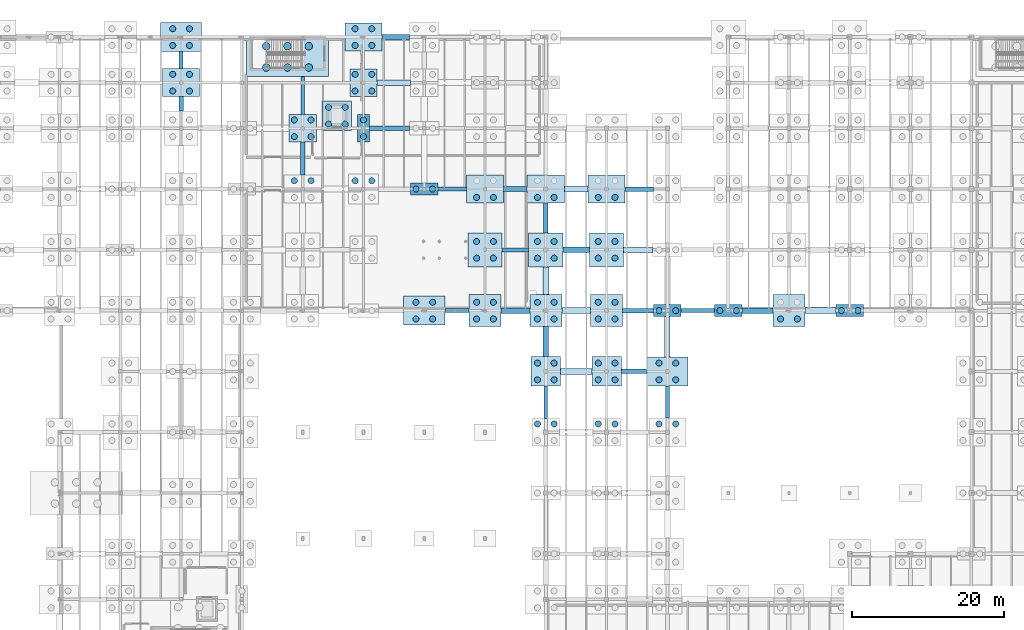
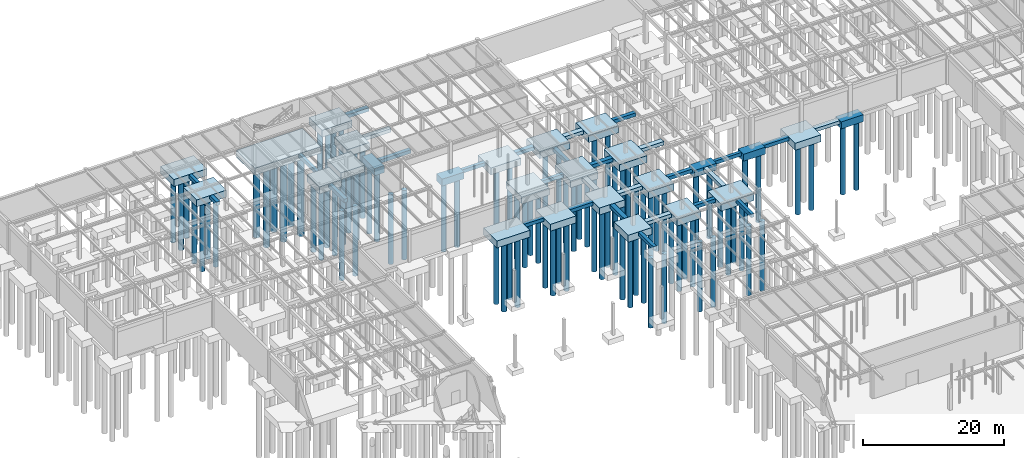
# One storey, part 5 of 71: 98 piles, 55 footings.
"""IFC4 building model written with IfcOpenShell, lengths in metres."""

from ifc_helpers import new_model, si_unit, direction, frame, origin, origin_2d, place, context, subcontext, project, spatial, rectangle, circle, extrude, material, material_profile, profile_set, type_object, element, save


model = new_model("IFC4")

# Units and contexts
model_context = context("Model", 3, precision=1e-05, world=origin(), true_north=direction((0.0, 1.0)))
body_context = subcontext(model_context, "Body", "Model", "MODEL_VIEW")
ifc_project = project(units=[si_unit("LENGTHUNIT", "METRE"), si_unit("AREAUNIT", "SQUARE_METRE"), si_unit("VOLUMEUNIT", "CUBIC_METRE"), si_unit("PLANEANGLEUNIT", "RADIAN"), si_unit("MASSUNIT", "GRAM", prefix="KILO")], contexts=[model_context])

# Site, building, storey
site_placement = place(None, origin())
site = spatial("IfcSite", under=ifc_project, at=site_placement, CompositionType="ELEMENT")
building_placement = place(site_placement, origin())
building = spatial("IfcBuilding", under=site, at=building_placement, Name="Sundkrona Museum", CompositionType="ELEMENT")
storey_placement = place(building_placement, frame((0.0, 0.0, -5.39990234375)))
storey = spatial("IfcBuildingStorey", under=building, at=storey_placement, Name="B1", CompositionType="ELEMENT", Elevation=-5.39990234375)

# Footings
ifc_material = material(Name="Concrete C40/50", Category="concrete")
footing_type_1 = type_object("IfcFootingType", Name="GB-500", PredefinedType="FOOTING_BEAM", material=ifc_material)
footing_1_placement = place(storey_placement, frame((68.300048828125, 78.0, -0.7001953125), z_axis=(0.0, 0.0, 1.0), x_axis=(1.0, 0.0, 0.0)))
element("IfcFooting", 1, at=footing_1_placement, inside=storey, type_object=footing_type_1, Name="Ground Tie Beam GB-X-098", PredefinedType="FOOTING_BEAM", context=body_context, shape_type="SweptSolid", body=[
    extrude(rectangle(XDim=3.199951171875, YDim=0.5, at=origin_2d()), origin(), (0.0, 0.0, 1.0), 0.60009765625),
])
footing_2_placement = place(storey_placement, frame((100.0, 78.0, -0.7001953125), z_axis=(0.0, 0.0, 1.0), x_axis=(1.0, 0.0, 0.0)))
element("IfcFooting", 2, at=footing_2_placement, inside=storey, type_object=footing_type_1, Name="Ground Tie Beam GB-X-102", PredefinedType="FOOTING_BEAM", context=body_context, shape_type="SweptSolid", body=[
    extrude(rectangle(XDim=4.39990234375, YDim=0.5, at=origin_2d()), origin(), (0.0, 0.0, 1.0), 0.60009765625),
])
footing_3_placement = place(storey_placement, frame((76.0, 86.0, -0.7001953125), z_axis=(0.0, 0.0, 1.0), x_axis=(1.0, 0.0, 0.0)))
element("IfcFooting", 3, at=footing_3_placement, inside=storey, type_object=footing_type_1, Name="Ground Tie Beam GB-X-118", PredefinedType="FOOTING_BEAM", context=body_context, shape_type="SweptSolid", body=[
    extrude(rectangle(XDim=3.5, YDim=0.5, at=origin_2d()), origin(), (0.0, 0.0, 1.0), 0.60009765625),
])
footing_4_placement = place(storey_placement, frame((67.675048828125, 94.0, -0.7001953125), z_axis=(0.0, 0.0, 1.0), x_axis=(1.0, 0.0, 0.0)))
element("IfcFooting", 4, at=footing_4_placement, inside=storey, type_object=footing_type_1, Name="Ground Tie Beam GB-X-138", PredefinedType="FOOTING_BEAM", context=body_context, shape_type="SweptSolid", body=[
    extrude(rectangle(XDim=3.75, YDim=0.5, at=origin_2d()), origin(), (0.0, 0.0, 1.0), 0.60009765625),
])
footing_5_placement = place(storey_placement, frame((32.0, 110.97509765625, -0.7001953125), z_axis=(0.0, 0.0, 1.0), x_axis=(0.0, 1.0, 0.0)))
element("IfcFooting", 5, at=footing_5_placement, inside=storey, type_object=footing_type_1, Name="Ground Tie Beam GB-Y-218", PredefinedType="FOOTING_BEAM", context=body_context, shape_type="SweptSolid", body=[
    extrude(rectangle(XDim=2.25, YDim=0.5, at=origin_2d()), origin(), (0.0, 0.0, 1.0), 0.60009765625),
])
footing_6_placement = place(storey_placement, frame((48.0, 106.300048828125, -0.7001953125), z_axis=(0.0, 0.0, 1.0), x_axis=(0.0, 1.0, 0.0)))
element("IfcFooting", 6, at=footing_6_placement, inside=storey, type_object=footing_type_1, Name="Ground Tie Beam GB-Y-222", PredefinedType="FOOTING_BEAM", context=body_context, shape_type="SweptSolid", body=[
    extrude(rectangle(XDim=5.0, YDim=0.5, at=origin_2d()), origin(), (0.0, 0.0, 1.0), 0.60009765625),
])
for number, where, z_axis, x_axis, name in (
    (7, (80.0, 65.925048828125, -0.7001953125), (0.0, 0.0, 1.0), (0.0, 1.0, 0.0), "Ground Tie Beam GB-Y-234"),
    (8, (96.0, 65.97509765625, -0.7001953125), (0.0, 0.0, 1.0), (0.0, 1.0, 0.0), "Ground Tie Beam GB-Y-246"),
):
    element("IfcFooting", number, at=place(storey_placement, frame(where, z_axis=z_axis, x_axis=x_axis)), inside=storey, type_object=footing_type_1, Name=name, PredefinedType="FOOTING_BEAM", context=body_context, shape_type="SweptSolid", body=[
        extrude(rectangle(XDim=4.25, YDim=0.5, at=origin_2d()), origin(), (0.0, 0.0, 1.0), 0.60009765625),
    ])
footing_type_2 = type_object("IfcFootingType", Name="GB-600", PredefinedType="FOOTING_BEAM", material=ifc_material)
footing_7_placement = place(storey_placement, frame((91.625, 70.0, -0.7001953125), z_axis=(0.0, 0.0, 1.0), x_axis=(1.0, 0.0, 0.0)))
element("IfcFooting", 9, at=footing_7_placement, inside=storey, type_object=footing_type_2, Name="Ground Tie Beam GB-X-085", PredefinedType="FOOTING_BEAM", context=body_context, shape_type="SweptSolid", body=[
    extrude(rectangle(XDim=3.35009765625, YDim=0.60009765625, at=origin_2d()), origin(), (0.0, 0.0, 1.0), 0.60009765625),
])
footing_8_placement = place(storey_placement, frame((92.14990234375, 78.0, -0.7001953125), z_axis=(0.0, 0.0, 1.0), x_axis=(1.0, 0.0, 0.0)))
element("IfcFooting", 10, at=footing_8_placement, inside=storey, type_object=footing_type_2, Name="Ground Tie Beam GB-X-101", PredefinedType="FOOTING_BEAM", context=body_context, shape_type="SweptSolid", body=[
    extrude(rectangle(XDim=4.10009765625, YDim=0.60009765625, at=origin_2d()), origin(), (0.0, 0.0, 1.0), 0.60009765625),
])
footing_9_placement = place(storey_placement, frame((92.324951171875, 94.0, -0.7001953125), z_axis=(0.0, 0.0, 1.0), x_axis=(1.0, 0.0, 0.0)))
element("IfcFooting", 11, at=footing_9_placement, inside=storey, type_object=footing_type_2, Name="Ground Tie Beam GB-X-141", PredefinedType="FOOTING_BEAM", context=body_context, shape_type="SweptSolid", body=[
    extrude(rectangle(XDim=3.75, YDim=0.60009765625, at=origin_2d()), origin(), (0.0, 0.0, 1.0), 0.60009765625),
])
footing_10_placement = place(storey_placement, frame((59.425048828125, 102.0, -0.7001953125), z_axis=(0.0, 0.0, 1.0), x_axis=(1.0, 0.0, 0.0)))
element("IfcFooting", 12, at=footing_10_placement, inside=storey, type_object=footing_type_2, Name="Ground Tie Beam GB-X-157", PredefinedType="FOOTING_BEAM", context=body_context, shape_type="SweptSolid", body=[
    extrude(rectangle(XDim=5.25, YDim=0.60009765625, at=origin_2d()), origin(), (0.0, 0.0, 1.0), 0.60009765625),
])
footing_11_placement = place(storey_placement, frame((32.0, 105.199951171875, -0.7001953125), z_axis=(0.0, 0.0, 1.0), x_axis=(0.0, 1.0, 0.0)))
element("IfcFooting", 13, at=footing_11_placement, inside=storey, type_object=footing_type_2, Name="Ground Tie Beam GB-Y-217", PredefinedType="FOOTING_BEAM", context=body_context, shape_type="SweptSolid", body=[
    extrude(rectangle(XDim=1.89990234375, YDim=0.60009765625, at=origin_2d()), origin(), (0.0, 0.0, 1.0), 0.60009765625),
])
footing_12_placement = place(storey_placement, frame((48.0, 98.02490234375, -0.7001953125), z_axis=(0.0, 0.0, 1.0), x_axis=(0.0, 1.0, 0.0)))
element("IfcFooting", 14, at=footing_12_placement, inside=storey, type_object=footing_type_2, Name="Ground Tie Beam GB-Y-221", PredefinedType="FOOTING_BEAM", context=body_context, shape_type="SweptSolid", body=[
    extrude(rectangle(XDim=4.35009765625, YDim=0.60009765625, at=origin_2d()), origin(), (0.0, 0.0, 1.0), 0.60009765625),
])
footing_13_placement = place(storey_placement, frame((80.0, 90.199951171875, -0.7001953125), z_axis=(0.0, 0.0, 1.0), x_axis=(0.0, 1.0, 0.0)))
element("IfcFooting", 15, at=footing_13_placement, inside=storey, type_object=footing_type_2, Name="Ground Tie Beam GB-Y-237", PredefinedType="FOOTING_BEAM", context=body_context, shape_type="SweptSolid", body=[
    extrude(rectangle(XDim=3.89990234375, YDim=0.60009765625, at=origin_2d()), origin(), (0.0, 0.0, 1.0), 0.60009765625),
])
footing_type_3 = type_object("IfcFootingType", Name="GB-700", PredefinedType="FOOTING_BEAM", material=ifc_material)
footing_14_placement = place(storey_placement, frame((76.0, 78.0, -0.7001953125), z_axis=(0.0, 0.0, 1.0), x_axis=(1.0, 0.0, 0.0)))
element("IfcFooting", 16, at=footing_14_placement, inside=storey, type_object=footing_type_3, Name="Ground Tie Beam GB-X-099", PredefinedType="FOOTING_BEAM", context=body_context, shape_type="SweptSolid", body=[
    extrude(rectangle(XDim=3.800048828125, YDim=0.699951171875, at=origin_2d()), origin(), (0.0, 0.0, 1.0), 0.60009765625),
])
footing_15_placement = place(storey_placement, frame((107.85009765625, 78.0, -0.7001953125), z_axis=(0.0, 0.0, 1.0), x_axis=(1.0, 0.0, 0.0)))
element("IfcFooting", 17, at=footing_15_placement, inside=storey, type_object=footing_type_3, Name="Ground Tie Beam GB-X-103", PredefinedType="FOOTING_BEAM", context=body_context, shape_type="SweptSolid", body=[
    extrude(rectangle(XDim=4.10009765625, YDim=0.699951171875, at=origin_2d()), origin(), (0.0, 0.0, 1.0), 0.60009765625),
])
footing_16_placement = place(storey_placement, frame((84.0, 86.0, -0.7001953125), z_axis=(0.0, 0.0, 1.0), x_axis=(1.0, 0.0, 0.0)))
element("IfcFooting", 18, at=footing_16_placement, inside=storey, type_object=footing_type_3, Name="Ground Tie Beam GB-X-119", PredefinedType="FOOTING_BEAM", context=body_context, shape_type="SweptSolid", body=[
    extrude(rectangle(XDim=3.5, YDim=0.699951171875, at=origin_2d()), origin(), (0.0, 0.0, 1.0), 0.60009765625),
])
footing_17_placement = place(storey_placement, frame((76.0, 94.0, -0.7001953125), z_axis=(0.0, 0.0, 1.0), x_axis=(1.0, 0.0, 0.0)))
element("IfcFooting", 19, at=footing_17_placement, inside=storey, type_object=footing_type_3, Name="Ground Tie Beam GB-X-139", PredefinedType="FOOTING_BEAM", context=body_context, shape_type="SweptSolid", body=[
    extrude(rectangle(XDim=3.10009765625, YDim=0.699951171875, at=origin_2d()), origin(), (0.0, 0.0, 1.0), 0.60009765625),
])
footing_18_placement = place(storey_placement, frame((60.0, 108.0, -0.7001953125), z_axis=(0.0, 0.0, 1.0), x_axis=(1.0, 0.0, 0.0)))
element("IfcFooting", 20, at=footing_18_placement, inside=storey, type_object=footing_type_3, Name="Ground Tie Beam GB-X-175", PredefinedType="FOOTING_BEAM", context=body_context, shape_type="SweptSolid", body=[
    extrude(rectangle(XDim=4.39990234375, YDim=0.699951171875, at=origin_2d()), origin(), (0.0, 0.0, 1.0), 0.60009765625),
])
footing_19_placement = place(storey_placement, frame((60.25, 114.0, -0.7001953125), z_axis=(0.0, 0.0, 1.0), x_axis=(1.0, 0.0, 0.0)))
element("IfcFooting", 21, at=footing_19_placement, inside=storey, type_object=footing_type_3, Name="Ground Tie Beam GB-X-187", PredefinedType="FOOTING_BEAM", context=body_context, shape_type="SweptSolid", body=[
    extrude(rectangle(XDim=3.60009765625, YDim=0.699951171875, at=origin_2d()), origin(), (0.0, 0.0, 1.0), 0.60009765625),
])
footing_20_placement = place(storey_placement, frame((80.0, 73.925048828125, -0.7001953125), z_axis=(0.0, 0.0, 1.0), x_axis=(0.0, 1.0, 0.0)))
element("IfcFooting", 22, at=footing_20_placement, inside=storey, type_object=footing_type_3, Name="Ground Tie Beam GB-Y-235", PredefinedType="FOOTING_BEAM", context=body_context, shape_type="SweptSolid", body=[
    extrude(rectangle(XDim=3.949951171875, YDim=0.699951171875, at=origin_2d()), origin(), (0.0, 0.0, 1.0), 0.60009765625),
])
footing_21_placement = place(storey_placement, frame((96.0, 74.550048828125, -0.7001953125), z_axis=(0.0, 0.0, 1.0), x_axis=(0.0, 1.0, 0.0)))
element("IfcFooting", 23, at=footing_21_placement, inside=storey, type_object=footing_type_3, Name="Ground Tie Beam GB-Y-247", PredefinedType="FOOTING_BEAM", context=body_context, shape_type="SweptSolid", body=[
    extrude(rectangle(XDim=5.300048828125, YDim=0.699951171875, at=origin_2d()), origin(), (0.0, 0.0, 1.0), 0.60009765625),
])
footing_type_4 = type_object("IfcFootingType", Name="GB-800", PredefinedType="FOOTING_BEAM", material=ifc_material)
footing_22_placement = place(storey_placement, frame((84.0, 70.0, -0.7001953125), z_axis=(0.0, 0.0, 1.0), x_axis=(1.0, 0.0, 0.0)))
element("IfcFooting", 24, at=footing_22_placement, inside=storey, type_object=footing_type_4, Name="Ground Tie Beam GB-X-084", PredefinedType="FOOTING_BEAM", context=body_context, shape_type="SweptSolid", body=[
    extrude(rectangle(XDim=4.10009765625, YDim=0.800048828125, at=origin_2d()), origin(), (0.0, 0.0, 1.0), 0.60009765625),
])
footing_23_placement = place(storey_placement, frame((84.0, 78.0, -0.7001953125), z_axis=(0.0, 0.0, 1.0), x_axis=(1.0, 0.0, 0.0)))
element("IfcFooting", 25, at=footing_23_placement, inside=storey, type_object=footing_type_4, Name="Ground Tie Beam GB-X-100", PredefinedType="FOOTING_BEAM", context=body_context, shape_type="SweptSolid", body=[
    extrude(rectangle(XDim=3.800048828125, YDim=0.800048828125, at=origin_2d()), origin(), (0.0, 0.0, 1.0), 0.60009765625),
])
footing_24_placement = place(storey_placement, frame((116.14990234375, 78.0, -0.7001953125), z_axis=(0.0, 0.0, 1.0), x_axis=(1.0, 0.0, 0.0)))
element("IfcFooting", 26, at=footing_24_placement, inside=storey, type_object=footing_type_4, Name="Ground Tie Beam GB-X-104", PredefinedType="FOOTING_BEAM", context=body_context, shape_type="SweptSolid", body=[
    extrude(rectangle(XDim=4.10009765625, YDim=0.800048828125, at=origin_2d()), origin(), (0.0, 0.0, 1.0), 0.60009765625),
])
footing_25_placement = place(storey_placement, frame((92.14990234375, 86.0, -0.7001953125), z_axis=(0.0, 0.0, 1.0), x_axis=(1.0, 0.0, 0.0)))
element("IfcFooting", 27, at=footing_25_placement, inside=storey, type_object=footing_type_4, Name="Ground Tie Beam GB-X-120", PredefinedType="FOOTING_BEAM", context=body_context, shape_type="SweptSolid", body=[
    extrude(rectangle(XDim=3.800048828125, YDim=0.800048828125, at=origin_2d()), origin(), (0.0, 0.0, 1.0), 0.60009765625),
])
footing_26_placement = place(storey_placement, frame((84.0, 94.0, -0.7001953125), z_axis=(0.0, 0.0, 1.0), x_axis=(1.0, 0.0, 0.0)))
element("IfcFooting", 28, at=footing_26_placement, inside=storey, type_object=footing_type_4, Name="Ground Tie Beam GB-X-140", PredefinedType="FOOTING_BEAM", context=body_context, shape_type="SweptSolid", body=[
    extrude(rectangle(XDim=3.10009765625, YDim=0.800048828125, at=origin_2d()), origin(), (0.0, 0.0, 1.0), 0.60009765625),
])
footing_27_placement = place(storey_placement, frame((80.0, 81.925048828125, -0.7001953125), z_axis=(0.0, 0.0, 1.0), x_axis=(0.0, 1.0, 0.0)))
element("IfcFooting", 29, at=footing_27_placement, inside=storey, type_object=footing_type_4, Name="Ground Tie Beam GB-Y-236", PredefinedType="FOOTING_BEAM", context=body_context, shape_type="SweptSolid", body=[
    extrude(rectangle(XDim=3.64990234375, YDim=0.800048828125, at=origin_2d()), origin(), (0.0, 0.0, 1.0), 0.60009765625),
])

# Piles
ifc_material_profile_1 = material_profile(ifc_material, circle(Radius=0.5, at=origin_2d()), Name="PILE D1000")
ifc_profile_set_1 = profile_set([ifc_material_profile_1], Name="Concrete C40/50")
pile_type_1 = type_object("IfcPileType", Name="P-1000", PredefinedType="BORED", material=ifc_profile_set_1)
for number, where, z_axis, x_axis, name in (
    (30, (43.199951171875, 110.0, -1.150146484375), (0.0, 0.0, -1.0), (1.0, 0.0, 0.0), "Bored Pile FC-CORE3-P01"),
    (31, (46.0, 110.0, -1.150146484375), (0.0, 0.0, -1.0), (1.0, 0.0, 0.0), "Bored Pile FC-CORE3-P02"),
    (32, (48.800048828125, 110.0, -1.150146484375), (0.0, 0.0, -1.0), (1.0, 0.0, 0.0), "Bored Pile FC-CORE3-P03"),
    (33, (43.199951171875, 112.800048828125, -1.150146484375), (0.0, 0.0, -1.0), (1.0, 0.0, 0.0), "Bored Pile FC-CORE3-P04"),
    (34, (46.0, 112.800048828125, -1.150146484375), (0.0, 0.0, -1.0), (1.0, 0.0, 0.0), "Bored Pile FC-CORE3-P05"),
    (35, (48.800048828125, 112.800048828125, -1.150146484375), (0.0, 0.0, -1.0), (1.0, 0.0, 0.0), "Bored Pile FC-CORE3-P06"),
):
    element("IfcPile", number, at=place(storey_placement, frame(where, z_axis=z_axis, x_axis=x_axis)), inside=storey, type_object=pile_type_1, Name=name, PredefinedType="BORED", context=body_context, shape_type="SweptSolid", body=[
        extrude(circle(Radius=0.5, at=origin_2d()), origin(), (0.0, 0.0, 1.0), 14.0),
    ])
ifc_material_profile_2 = material_profile(ifc_material, circle(Radius=0.39990234375, at=origin_2d()), Name="PILE D800")
ifc_profile_set_2 = profile_set([ifc_material_profile_2], Name="Concrete C40/50")
pile_type_2 = type_object("IfcPileType", Name="P-800", PredefinedType="BORED", material=ifc_profile_set_2)
for number, where, z_axis, x_axis, name in (
    (36, (51.39990234375, 102.550048828125, -1.150146484375), (0.0, 0.0, -1.0), (1.0, 0.0, 0.0), "Bored Pile FC-PL3-P01"),
    (37, (53.60009765625, 102.550048828125, -1.150146484375), (0.0, 0.0, -1.0), (1.0, 0.0, 0.0), "Bored Pile FC-PL3-P02"),
    (38, (51.39990234375, 104.75, -1.150146484375), (0.0, 0.0, -1.0), (1.0, 0.0, 0.0), "Bored Pile FC-PL3-P03"),
    (39, (53.60009765625, 104.75, -1.150146484375), (0.0, 0.0, -1.0), (1.0, 0.0, 0.0), "Bored Pile FC-PL3-P04"),
    (40, (30.89990234375, 106.89990234375, -1.150146484375), (0.0, 0.0, -1.0), (1.0, 0.0, 0.0), "Bored Pile FC-Q-5-P01"),
    (41, (33.10009765625, 106.89990234375, -1.150146484375), (0.0, 0.0, -1.0), (1.0, 0.0, 0.0), "Bored Pile FC-Q-5-P02"),
    (42, (30.89990234375, 109.10009765625, -1.150146484375), (0.0, 0.0, -1.0), (1.0, 0.0, 0.0), "Bored Pile FC-Q-5-P03"),
    (43, (33.10009765625, 109.10009765625, -1.150146484375), (0.0, 0.0, -1.0), (1.0, 0.0, 0.0), "Bored Pile FC-Q-5-P04"),
    (44, (30.89990234375, 112.89990234375, -1.150146484375), (0.0, 0.0, -1.0), (1.0, 0.0, 0.0), "Bored Pile FC-R-5-P01"),
    (45, (33.10009765625, 112.89990234375, -1.150146484375), (0.0, 0.0, -1.0), (1.0, 0.0, 0.0), "Bored Pile FC-R-5-P02"),
    (46, (30.89990234375, 115.10009765625, -1.150146484375), (0.0, 0.0, -1.0), (1.0, 0.0, 0.0), "Bored Pile FC-R-5-P03"),
    (47, (33.10009765625, 115.10009765625, -1.150146484375), (0.0, 0.0, -1.0), (1.0, 0.0, 0.0), "Bored Pile FC-R-5-P04"),
    (48, (46.89990234375, 95.10009765625, -1.150146484375), (0.0, 0.0, -1.0), (1.0, 0.0, 0.0), "Bored Pile FC-N-7-P03"),
    (49, (49.10009765625, 95.10009765625, -1.150146484375), (0.0, 0.0, -1.0), (1.0, 0.0, 0.0), "Bored Pile FC-N-7-P04"),
    (50, (46.89990234375, 100.89990234375, -1.150146484375), (0.0, 0.0, -1.0), (1.0, 0.0, 0.0), "Bored Pile FC-P-7-P01"),
    (51, (49.10009765625, 100.89990234375, -1.150146484375), (0.0, 0.0, -1.0), (1.0, 0.0, 0.0), "Bored Pile FC-P-7-P02"),
    (52, (46.89990234375, 103.10009765625, -1.150146484375), (0.0, 0.0, -1.0), (1.0, 0.0, 0.0), "Bored Pile FC-P-7-P03"),
    (53, (49.10009765625, 103.10009765625, -1.150146484375), (0.0, 0.0, -1.0), (1.0, 0.0, 0.0), "Bored Pile FC-P-7-P04"),
    (54, (54.89990234375, 95.10009765625, -1.150146484375), (0.0, 0.0, -1.0), (1.0, 0.0, 0.0), "Bored Pile FC-N-8-P03"),
    (55, (57.10009765625, 95.10009765625, -1.150146484375), (0.0, 0.0, -1.0), (1.0, 0.0, 0.0), "Bored Pile FC-N-8-P04"),
    (56, (56.0, 100.89990234375, -1.150146484375), (0.0, 0.0, -1.0), (1.0, 0.0, 0.0), "Bored Pile FC-P-8-P01"),
    (57, (56.0, 103.10009765625, -1.150146484375), (0.0, 0.0, -1.0), (1.0, 0.0, 0.0), "Bored Pile FC-P-8-P02"),
    (58, (54.89990234375, 106.89990234375, -1.150146484375), (0.0, 0.0, -1.0), (1.0, 0.0, 0.0), "Bored Pile FC-Q-8-P01"),
    (59, (57.10009765625, 106.89990234375, -1.150146484375), (0.0, 0.0, -1.0), (1.0, 0.0, 0.0), "Bored Pile FC-Q-8-P02"),
    (60, (54.89990234375, 109.10009765625, -1.150146484375), (0.0, 0.0, -1.0), (1.0, 0.0, 0.0), "Bored Pile FC-Q-8-P03"),
    (61, (57.10009765625, 109.10009765625, -1.150146484375), (0.0, 0.0, -1.0), (1.0, 0.0, 0.0), "Bored Pile FC-Q-8-P04"),
    (62, (54.89990234375, 112.89990234375, -1.150146484375), (0.0, 0.0, -1.0), (1.0, 0.0, 0.0), "Bored Pile FC-R-8-P01"),
    (63, (57.10009765625, 112.89990234375, -1.150146484375), (0.0, 0.0, -1.0), (1.0, 0.0, 0.0), "Bored Pile FC-R-8-P02"),
    (64, (54.89990234375, 115.10009765625, -1.150146484375), (0.0, 0.0, -1.0), (1.0, 0.0, 0.0), "Bored Pile FC-R-8-P03"),
    (65, (57.10009765625, 115.10009765625, -1.150146484375), (0.0, 0.0, -1.0), (1.0, 0.0, 0.0), "Bored Pile FC-R-8-P04"),
    (66, (62.89990234375, 76.89990234375, -1.150146484375), (0.0, 0.0, -1.0), (1.0, 0.0, 0.0), "Bored Pile FC-L-9-P01"),
    (67, (65.10009765625, 76.89990234375, -1.150146484375), (0.0, 0.0, -1.0), (1.0, 0.0, 0.0), "Bored Pile FC-L-9-P02"),
    (68, (62.89990234375, 79.10009765625, -1.150146484375), (0.0, 0.0, -1.0), (1.0, 0.0, 0.0), "Bored Pile FC-L-9-P03"),
    (69, (65.10009765625, 79.10009765625, -1.150146484375), (0.0, 0.0, -1.0), (1.0, 0.0, 0.0), "Bored Pile FC-L-9-P04"),
    (70, (62.89990234375, 94.0, -1.150146484375), (0.0, 0.0, -1.0), (1.0, 0.0, 0.0), "Bored Pile FC-N-9-P01"),
    (71, (65.10009765625, 94.0, -1.150146484375), (0.0, 0.0, -1.0), (1.0, 0.0, 0.0), "Bored Pile FC-N-9-P02"),
    (72, (70.89990234375, 76.89990234375, -1.150146484375), (0.0, 0.0, -1.0), (1.0, 0.0, 0.0), "Bored Pile FC-L-10-P01"),
    (73, (73.10009765625, 76.89990234375, -1.150146484375), (0.0, 0.0, -1.0), (1.0, 0.0, 0.0), "Bored Pile FC-L-10-P02"),
    (74, (70.89990234375, 79.10009765625, -1.150146484375), (0.0, 0.0, -1.0), (1.0, 0.0, 0.0), "Bored Pile FC-L-10-P03"),
    (75, (73.10009765625, 79.10009765625, -1.150146484375), (0.0, 0.0, -1.0), (1.0, 0.0, 0.0), "Bored Pile FC-L-10-P04"),
    (76, (70.89990234375, 84.89990234375, -1.150146484375), (0.0, 0.0, -1.0), (1.0, 0.0, 0.0), "Bored Pile FC-M-10-P01"),
    (77, (73.10009765625, 84.89990234375, -1.150146484375), (0.0, 0.0, -1.0), (1.0, 0.0, 0.0), "Bored Pile FC-M-10-P02"),
    (78, (70.89990234375, 87.10009765625, -1.150146484375), (0.0, 0.0, -1.0), (1.0, 0.0, 0.0), "Bored Pile FC-M-10-P03"),
    (79, (73.10009765625, 87.10009765625, -1.150146484375), (0.0, 0.0, -1.0), (1.0, 0.0, 0.0), "Bored Pile FC-M-10-P04"),
    (80, (70.89990234375, 92.89990234375, -1.150146484375), (0.0, 0.0, -1.0), (1.0, 0.0, 0.0), "Bored Pile FC-N-10-P01"),
    (81, (73.10009765625, 92.89990234375, -1.150146484375), (0.0, 0.0, -1.0), (1.0, 0.0, 0.0), "Bored Pile FC-N-10-P02"),
    (82, (78.89990234375, 63.10009765625, -1.150146484375), (0.0, 0.0, -1.0), (1.0, 0.0, 0.0), "Bored Pile FC-J-11-P03"),
    (83, (81.10009765625, 63.10009765625, -1.150146484375), (0.0, 0.0, -1.0), (1.0, 0.0, 0.0), "Bored Pile FC-J-11-P04"),
    (84, (78.89990234375, 68.89990234375, -1.150146484375), (0.0, 0.0, -1.0), (1.0, 0.0, 0.0), "Bored Pile FC-K-11-P01"),
    (85, (81.10009765625, 68.89990234375, -1.150146484375), (0.0, 0.0, -1.0), (1.0, 0.0, 0.0), "Bored Pile FC-K-11-P02"),
    (86, (78.89990234375, 71.10009765625, -1.150146484375), (0.0, 0.0, -1.0), (1.0, 0.0, 0.0), "Bored Pile FC-K-11-P03"),
    (87, (81.10009765625, 71.10009765625, -1.150146484375), (0.0, 0.0, -1.0), (1.0, 0.0, 0.0), "Bored Pile FC-K-11-P04"),
    (88, (78.89990234375, 76.89990234375, -1.150146484375), (0.0, 0.0, -1.0), (1.0, 0.0, 0.0), "Bored Pile FC-L-11-P01"),
    (89, (81.10009765625, 76.89990234375, -1.150146484375), (0.0, 0.0, -1.0), (1.0, 0.0, 0.0), "Bored Pile FC-L-11-P02"),
    (90, (78.89990234375, 79.10009765625, -1.150146484375), (0.0, 0.0, -1.0), (1.0, 0.0, 0.0), "Bored Pile FC-L-11-P03"),
    (91, (81.10009765625, 79.10009765625, -1.150146484375), (0.0, 0.0, -1.0), (1.0, 0.0, 0.0), "Bored Pile FC-L-11-P04"),
    (92, (78.89990234375, 84.89990234375, -1.150146484375), (0.0, 0.0, -1.0), (1.0, 0.0, 0.0), "Bored Pile FC-M-11-P01"),
    (93, (81.10009765625, 84.89990234375, -1.150146484375), (0.0, 0.0, -1.0), (1.0, 0.0, 0.0), "Bored Pile FC-M-11-P02"),
    (94, (78.89990234375, 87.10009765625, -1.150146484375), (0.0, 0.0, -1.0), (1.0, 0.0, 0.0), "Bored Pile FC-M-11-P03"),
    (95, (81.10009765625, 87.10009765625, -1.150146484375), (0.0, 0.0, -1.0), (1.0, 0.0, 0.0), "Bored Pile FC-M-11-P04"),
    (96, (78.89990234375, 92.89990234375, -1.150146484375), (0.0, 0.0, -1.0), (1.0, 0.0, 0.0), "Bored Pile FC-N-11-P01"),
    (97, (81.10009765625, 92.89990234375, -1.150146484375), (0.0, 0.0, -1.0), (1.0, 0.0, 0.0), "Bored Pile FC-N-11-P02"),
    (98, (86.89990234375, 63.10009765625, -1.150146484375), (0.0, 0.0, -1.0), (1.0, 0.0, 0.0), "Bored Pile FC-J-12-P03"),
    (99, (89.10009765625, 63.10009765625, -1.150146484375), (0.0, 0.0, -1.0), (1.0, 0.0, 0.0), "Bored Pile FC-J-12-P04"),
    (100, (86.89990234375, 68.89990234375, -1.150146484375), (0.0, 0.0, -1.0), (1.0, 0.0, 0.0), "Bored Pile FC-K-12-P01"),
    (101, (89.10009765625, 68.89990234375, -1.150146484375), (0.0, 0.0, -1.0), (1.0, 0.0, 0.0), "Bored Pile FC-K-12-P02"),
    (102, (86.89990234375, 71.10009765625, -1.150146484375), (0.0, 0.0, -1.0), (1.0, 0.0, 0.0), "Bored Pile FC-K-12-P03"),
    (103, (89.10009765625, 71.10009765625, -1.150146484375), (0.0, 0.0, -1.0), (1.0, 0.0, 0.0), "Bored Pile FC-K-12-P04"),
    (104, (86.89990234375, 76.89990234375, -1.150146484375), (0.0, 0.0, -1.0), (1.0, 0.0, 0.0), "Bored Pile FC-L-12-P01"),
    (105, (89.10009765625, 76.89990234375, -1.150146484375), (0.0, 0.0, -1.0), (1.0, 0.0, 0.0), "Bored Pile FC-L-12-P02"),
    (106, (86.89990234375, 79.10009765625, -1.150146484375), (0.0, 0.0, -1.0), (1.0, 0.0, 0.0), "Bored Pile FC-L-12-P03"),
    (107, (89.10009765625, 79.10009765625, -1.150146484375), (0.0, 0.0, -1.0), (1.0, 0.0, 0.0), "Bored Pile FC-L-12-P04"),
    (108, (86.89990234375, 84.89990234375, -1.150146484375), (0.0, 0.0, -1.0), (1.0, 0.0, 0.0), "Bored Pile FC-M-12-P01"),
    (109, (89.10009765625, 84.89990234375, -1.150146484375), (0.0, 0.0, -1.0), (1.0, 0.0, 0.0), "Bored Pile FC-M-12-P02"),
    (110, (86.89990234375, 87.10009765625, -1.150146484375), (0.0, 0.0, -1.0), (1.0, 0.0, 0.0), "Bored Pile FC-M-12-P03"),
    (111, (89.10009765625, 87.10009765625, -1.150146484375), (0.0, 0.0, -1.0), (1.0, 0.0, 0.0), "Bored Pile FC-M-12-P04"),
    (112, (86.89990234375, 92.89990234375, -1.150146484375), (0.0, 0.0, -1.0), (1.0, 0.0, 0.0), "Bored Pile FC-N-12-P01"),
    (113, (89.10009765625, 92.89990234375, -1.150146484375), (0.0, 0.0, -1.0), (1.0, 0.0, 0.0), "Bored Pile FC-N-12-P02"),
    (114, (94.89990234375, 63.10009765625, -1.150146484375), (0.0, 0.0, -1.0), (1.0, 0.0, 0.0), "Bored Pile FC-J-13-P03"),
    (115, (97.10009765625, 63.10009765625, -1.150146484375), (0.0, 0.0, -1.0), (1.0, 0.0, 0.0), "Bored Pile FC-J-13-P04"),
    (116, (94.89990234375, 68.89990234375, -1.150146484375), (0.0, 0.0, -1.0), (1.0, 0.0, 0.0), "Bored Pile FC-K-13-P01"),
    (117, (97.10009765625, 68.89990234375, -1.150146484375), (0.0, 0.0, -1.0), (1.0, 0.0, 0.0), "Bored Pile FC-K-13-P02"),
    (118, (94.89990234375, 71.10009765625, -1.150146484375), (0.0, 0.0, -1.0), (1.0, 0.0, 0.0), "Bored Pile FC-K-13-P03"),
    (119, (97.10009765625, 71.10009765625, -1.150146484375), (0.0, 0.0, -1.0), (1.0, 0.0, 0.0), "Bored Pile FC-K-13-P04"),
    (120, (94.89990234375, 78.0, -1.150146484375), (0.0, 0.0, -1.0), (1.0, 0.0, 0.0), "Bored Pile FC-L-13-P01"),
    (121, (97.10009765625, 78.0, -1.150146484375), (0.0, 0.0, -1.0), (1.0, 0.0, 0.0), "Bored Pile FC-L-13-P02"),
    (122, (102.89990234375, 78.0, -1.150146484375), (0.0, 0.0, -1.0), (1.0, 0.0, 0.0), "Bored Pile FC-L-14-P01"),
    (123, (105.10009765625, 78.0, -1.150146484375), (0.0, 0.0, -1.0), (1.0, 0.0, 0.0), "Bored Pile FC-L-14-P02"),
    (124, (110.89990234375, 76.89990234375, -1.150146484375), (0.0, 0.0, -1.0), (1.0, 0.0, 0.0), "Bored Pile FC-L-15-P01"),
    (125, (113.10009765625, 76.89990234375, -1.150146484375), (0.0, 0.0, -1.0), (1.0, 0.0, 0.0), "Bored Pile FC-L-15-P02"),
    (126, (118.89990234375, 78.0, -1.150146484375), (0.0, 0.0, -1.0), (1.0, 0.0, 0.0), "Bored Pile FC-L-16-P01"),
    (127, (121.10009765625, 78.0, -1.150146484375), (0.0, 0.0, -1.0), (1.0, 0.0, 0.0), "Bored Pile FC-L-16-P02"),
):
    element("IfcPile", number, at=place(storey_placement, frame(where, z_axis=z_axis, x_axis=x_axis)), inside=storey, type_object=pile_type_2, Name=name, PredefinedType="BORED", context=body_context, shape_type="SweptSolid", body=[
        extrude(circle(Radius=0.39990234375, at=origin_2d()), origin(), (0.0, 0.0, 1.0), 12.0),
    ])

# Footings
footing_type_5 = type_object("IfcFootingType", Name="PC-2A", PredefinedType="PILE_CAP", material=ifc_material)
for number, where, z_axis, x_axis, name in (
    (128, (56.0, 102.0, -1.30029296875), (0.0, 0.0, 1.0), (0.0, 1.0, 0.0), "Column Pile Cap P/8"),
    (129, (64.0, 94.0, -1.30029296875), (0.0, 0.0, 1.0), (1.0, 0.0, 0.0), "Column Pile Cap N/9"),
    (130, (96.0, 78.0, -1.30029296875), (0.0, 0.0, 1.0), (1.0, 0.0, 0.0), "Column Pile Cap L/13"),
    (131, (104.0, 78.0, -1.30029296875), (0.0, 0.0, 1.0), (1.0, 0.0, 0.0), "Column Pile Cap L/14"),
    (132, (120.0, 78.0, -1.30029296875), (0.0, 0.0, 1.0), (1.0, 0.0, 0.0), "Column Pile Cap L/16"),
):
    element("IfcFooting", number, at=place(storey_placement, frame(where, z_axis=z_axis, x_axis=x_axis)), inside=storey, type_object=footing_type_5, Name=name, PredefinedType="PILE_CAP", context=body_context, shape_type="SweptSolid", body=[
        extrude(rectangle(XDim=3.60009765625, YDim=1.60009765625, at=origin_2d()), origin(), (0.0, 0.0, 1.0), 1.199951171875),
    ])
footing_type_6 = type_object("IfcFootingType", Name="PC-4A", PredefinedType="PILE_CAP", material=ifc_material)
for number, where, z_axis, x_axis, name in (
    (133, (48.0, 102.0, -1.30029296875), (0.0, 0.0, 1.0), (1.0, 0.0, 0.0), "Column Pile Cap P/7"),
    (134, (56.0, 108.0, -1.30029296875), (0.0, 0.0, 1.0), (1.0, 0.0, 0.0), "Column Pile Cap Q/8"),
):
    element("IfcFooting", number, at=place(storey_placement, frame(where, z_axis=z_axis, x_axis=x_axis)), inside=storey, type_object=footing_type_6, Name=name, PredefinedType="PILE_CAP", context=body_context, shape_type="SweptSolid", body=[
        extrude(rectangle(XDim=3.60009765625, YDim=3.60009765625, at=origin_2d()), origin(), (0.0, 0.0, 1.0), 1.199951171875),
    ])
footing_type_7 = type_object("IfcFootingType", Name="PC-4B", PredefinedType="PILE_CAP", material=ifc_material)
for number, where, z_axis, x_axis, name in (
    (135, (52.5, 103.64990234375, -1.30029296875), (0.0, 0.0, 1.0), (1.0, 0.0, 0.0), "Lift PL-3 Pile Cap"),
    (136, (80.0, 70.0, -1.30029296875), (0.0, 0.0, 1.0), (1.0, 0.0, 0.0), "Column Pile Cap K/11"),
    (137, (88.0, 70.0, -1.30029296875), (0.0, 0.0, 1.0), (1.0, 0.0, 0.0), "Column Pile Cap K/12"),
):
    element("IfcFooting", number, at=place(storey_placement, frame(where, z_axis=z_axis, x_axis=x_axis)), inside=storey, type_object=footing_type_7, Name=name, PredefinedType="PILE_CAP", context=body_context, shape_type="SweptSolid", body=[
        extrude(rectangle(XDim=3.89990234375, YDim=3.89990234375, at=origin_2d()), origin(), (0.0, 0.0, 1.0), 1.199951171875),
    ])
footing_type_8 = type_object("IfcFootingType", Name="PC-4C", PredefinedType="PILE_CAP", material=ifc_material)
for number, where, z_axis, x_axis, name in (
    (138, (72.0, 78.0, -1.30029296875), (0.0, 0.0, 1.0), (1.0, 0.0, 0.0), "Column Pile Cap L/10"),
    (139, (80.0, 78.0, -1.30029296875), (0.0, 0.0, 1.0), (1.0, 0.0, 0.0), "Column Pile Cap L/11"),
    (140, (88.0, 78.0, -1.30029296875), (0.0, 0.0, 1.0), (1.0, 0.0, 0.0), "Column Pile Cap L/12"),
    (141, (112.0, 78.0, -1.30029296875), (0.0, 0.0, 1.0), (1.0, 0.0, 0.0), "Column Pile Cap L/15"),
):
    element("IfcFooting", number, at=place(storey_placement, frame(where, z_axis=z_axis, x_axis=x_axis)), inside=storey, type_object=footing_type_8, Name=name, PredefinedType="PILE_CAP", context=body_context, shape_type="SweptSolid", body=[
        extrude(rectangle(XDim=4.199951171875, YDim=4.199951171875, at=origin_2d()), origin(), (0.0, 0.0, 1.0), 1.199951171875),
    ])
footing_type_9 = type_object("IfcFootingType", Name="PC-4D", PredefinedType="PILE_CAP", material=ifc_material)
for number, where, z_axis, x_axis, name in (
    (142, (72.0, 86.0, -1.30029296875), (0.0, 0.0, 1.0), (1.0, 0.0, 0.0), "Column Pile Cap M/10"),
    (143, (80.0, 86.0, -1.30029296875), (0.0, 0.0, 1.0), (1.0, 0.0, 0.0), "Column Pile Cap M/11"),
    (144, (88.0, 86.0, -1.30029296875), (0.0, 0.0, 1.0), (1.0, 0.0, 0.0), "Column Pile Cap M/12"),
):
    element("IfcFooting", number, at=place(storey_placement, frame(where, z_axis=z_axis, x_axis=x_axis)), inside=storey, type_object=footing_type_9, Name=name, PredefinedType="PILE_CAP", context=body_context, shape_type="SweptSolid", body=[
        extrude(rectangle(XDim=4.5, YDim=4.5, at=origin_2d()), origin(), (0.0, 0.0, 1.0), 1.199951171875),
    ])
footing_type_10 = type_object("IfcFootingType", Name="PC-4E", PredefinedType="PILE_CAP", material=ifc_material)
for number, where, z_axis, x_axis, name in (
    (145, (32.0, 108.0, -1.30029296875), (0.0, 0.0, 1.0), (1.0, 0.0, 0.0), "Column Pile Cap Q/5"),
    (146, (56.0, 114.0, -1.30029296875), (0.0, 0.0, 1.0), (1.0, 0.0, 0.0), "Column Pile Cap R/8"),
    (147, (72.0, 94.0, -1.30029296875), (0.0, 0.0, 1.0), (1.0, 0.0, 0.0), "Column Pile Cap N/10"),
    (148, (80.0, 94.0, -1.30029296875), (0.0, 0.0, 1.0), (1.0, 0.0, 0.0), "Column Pile Cap N/11"),
    (149, (88.0, 94.0, -1.30029296875), (0.0, 0.0, 1.0), (1.0, 0.0, 0.0), "Column Pile Cap N/12"),
):
    element("IfcFooting", number, at=place(storey_placement, frame(where, z_axis=z_axis, x_axis=x_axis)), inside=storey, type_object=footing_type_10, Name=name, PredefinedType="PILE_CAP", context=body_context, shape_type="SweptSolid", body=[
        extrude(rectangle(XDim=4.89990234375, YDim=3.699951171875, at=origin_2d()), origin(), (0.0, 0.0, 1.0), 1.199951171875),
    ])
footing_type_11 = type_object("IfcFootingType", Name="PC-4F", PredefinedType="PILE_CAP", material=ifc_material)
for number, where, z_axis, x_axis, name in (
    (150, (32.0, 114.0, -1.30029296875), (0.0, 0.0, 1.0), (1.0, 0.0, 0.0), "Column Pile Cap R/5"),
    (151, (64.0, 78.0, -1.30029296875), (0.0, 0.0, 1.0), (1.0, 0.0, 0.0), "Column Pile Cap L/9"),
    (152, (96.0, 70.0, -1.30029296875), (0.0, 0.0, 1.0), (1.0, 0.0, 0.0), "Column Pile Cap K/13"),
):
    element("IfcFooting", number, at=place(storey_placement, frame(where, z_axis=z_axis, x_axis=x_axis)), inside=storey, type_object=footing_type_11, Name=name, PredefinedType="PILE_CAP", context=body_context, shape_type="SweptSolid", body=[
        extrude(rectangle(XDim=5.39990234375, YDim=3.800048828125, at=origin_2d()), origin(), (0.0, 0.0, 1.0), 1.199951171875),
    ])
footing_type_12 = type_object("IfcFootingType", Name="PC-CMB-2", PredefinedType="PILE_CAP", material=ifc_material)
footing_28_placement = place(storey_placement, frame((46.0, 111.39990234375, -1.30029296875), z_axis=(0.0, 0.0, 1.0), x_axis=(1.0, 0.0, 0.0)))
element("IfcFooting", 153, at=footing_28_placement, inside=storey, type_object=footing_type_12, Name="Core 3 ST-3 Combined Pile Cap", PredefinedType="PILE_CAP", context=body_context, shape_type="SweptSolid", body=[
    extrude(rectangle(XDim=10.800048828125, YDim=5.199951171875, at=origin_2d()), origin(), (0.0, 0.0, 1.0), 1.199951171875),
])

save(model, "model.ifc")
